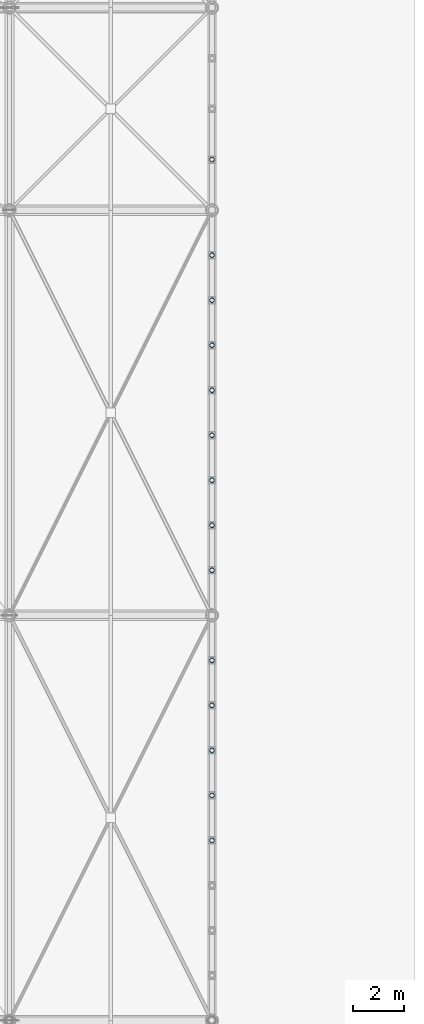
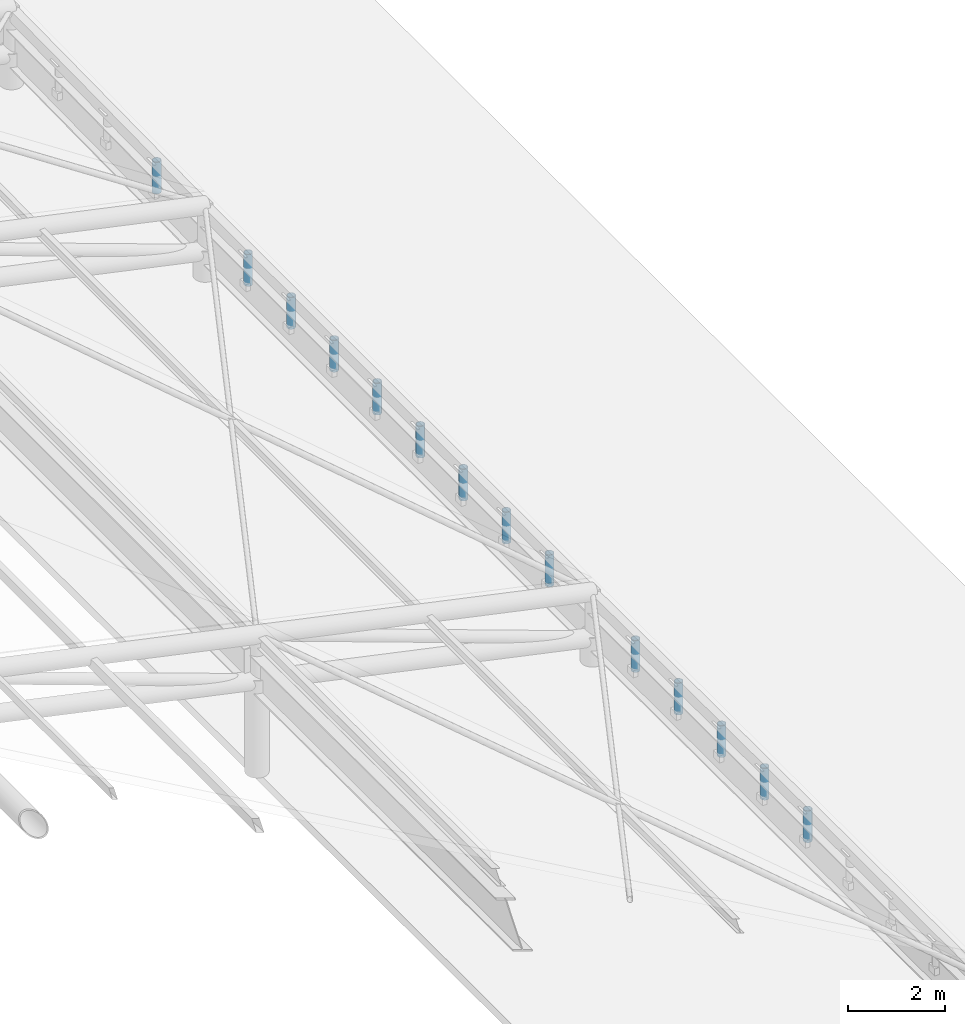
# One storey, part 22 of 41: 14 members.
"""IFC4 building model written with IfcOpenShell, lengths in metres."""

from ifc_helpers import new_model, si_unit, direction, frame, origin, origin_2d, place, context, subcontext, project, spatial, hollow_circle, extrude, material, material_profile, profile_set, type_object, element, save


model = new_model("IFC4")

# Units and contexts
model_context = context("Model", 3, precision=1e-05, world=origin(), true_north=direction((0.0, 1.0)))
body_context = subcontext(model_context, "Body", "Model", "MODEL_VIEW")
ifc_project = project(units=[si_unit("LENGTHUNIT", "METRE"), si_unit("AREAUNIT", "SQUARE_METRE"), si_unit("VOLUMEUNIT", "CUBIC_METRE"), si_unit("PLANEANGLEUNIT", "RADIAN"), si_unit("MASSUNIT", "GRAM", prefix="KILO")], contexts=[model_context])

# Site, building, storey
site_placement = place(None, origin())
site = spatial("IfcSite", under=ifc_project, at=site_placement, CompositionType="ELEMENT")
building_placement = place(site_placement, origin())
building = spatial("IfcBuilding", under=site, at=building_placement, Name="Haebicheon Civic Stadium", CompositionType="ELEMENT")
storey_placement = place(building_placement, frame((0.0, 0.0, 27.0)))
storey = spatial("IfcBuildingStorey", under=building, at=storey_placement, Name="L07", CompositionType="ELEMENT", Elevation=27.0)

# Members
ifc_material = material(Name="White painted steel SM490", Category="steel")
ifc_material_profile = material_profile(ifc_material, hollow_circle(Radius=0.095458984375, WallThickness=0.011962890625, at=origin_2d()), Name="CHS-190.7x12.0")
ifc_profile_set = profile_set([ifc_material_profile], Name="White painted steel SM490")
member_type = type_object("IfcMemberType", Name="HRD-CHS190", PredefinedType="USERDEFINED", material=ifc_profile_set)
member_1_placement = place(storey_placement, frame((152.0, 79.111083984375, 0.85009765625), z_axis=(0.0, 0.0, 1.0), x_axis=(1.0, 0.0, 0.0)))
element("IfcMember", 1, at=member_1_placement, inside=storey, type_object=member_type, material=ifc_profile_set, Name="CAN-EAST white vertical suspension rod 4.4", ObjectType="HANGER ROD", PredefinedType="USERDEFINED", context=body_context, shape_type="SweptSolid", body=[
    extrude(hollow_circle(Radius=0.095458984375, WallThickness=0.011962890625, at=origin_2d()), origin(), (0.0, 0.0, 1.0), 0.7998046875),
])
for number, where, z_axis, x_axis, name in (
    (2, (152.0, 80.888916015625, 0.844970703125), (0.0, 0.0, 1.0), (1.0, 0.0, 0.0), "CAN-EAST white vertical suspension rod 4.5"),
    (3, (152.0, 82.6669921875, 0.841064453125), (0.0, 0.0, 1.0), (1.0, 0.0, 0.0), "CAN-EAST white vertical suspension rod 4.6"),
    (4, (152.0, 84.444091796875, 0.8359375), (0.0, 0.0, 1.0), (1.0, 0.0, 0.0), "CAN-EAST white vertical suspension rod 4.7"),
    (5, (152.0, 86.221923828125, 0.83203125), (0.0, 0.0, 1.0), (1.0, 0.0, 0.0), "CAN-EAST white vertical suspension rod 4.8"),
    (6, (152.0, 89.778076171875, 0.83203125), (0.0, 0.0, 1.0), (1.0, 0.0, 0.0), "CAN-EAST white vertical suspension rod 5.1"),
    (7, (152.0, 91.555908203125, 0.8359375), (0.0, 0.0, 1.0), (1.0, 0.0, 0.0), "CAN-EAST white vertical suspension rod 5.2"),
    (8, (152.0, 93.3330078125, 0.841064453125), (0.0, 0.0, 1.0), (1.0, 0.0, 0.0), "CAN-EAST white vertical suspension rod 5.3"),
    (9, (152.0, 95.111083984375, 0.844970703125), (0.0, 0.0, 1.0), (1.0, 0.0, 0.0), "CAN-EAST white vertical suspension rod 5.4"),
):
    element("IfcMember", number, at=place(storey_placement, frame(where, z_axis=z_axis, x_axis=x_axis)), inside=storey, type_object=member_type, material=ifc_profile_set, Name=name, ObjectType="HANGER ROD", PredefinedType="USERDEFINED", context=body_context, shape_type="SweptSolid", body=[
        extrude(hollow_circle(Radius=0.095458984375, WallThickness=0.011962890625, at=origin_2d()), origin(), (0.0, 0.0, 1.0), 0.800048828125),
    ])
member_2_placement = place(storey_placement, frame((152.0, 96.888916015625, 0.85009765625), z_axis=(0.0, 0.0, 1.0), x_axis=(1.0, 0.0, 0.0)))
element("IfcMember", 10, at=member_2_placement, inside=storey, type_object=member_type, material=ifc_profile_set, Name="CAN-EAST white vertical suspension rod 5.5", ObjectType="HANGER ROD", PredefinedType="USERDEFINED", context=body_context, shape_type="SweptSolid", body=[
    extrude(hollow_circle(Radius=0.095458984375, WallThickness=0.011962890625, at=origin_2d()), origin(), (0.0, 0.0, 1.0), 0.7998046875),
])
for number, where, z_axis, x_axis, name in (
    (11, (152.0, 98.6669921875, 0.85400390625), (0.0, 0.0, 1.0), (1.0, 0.0, 0.0), "CAN-EAST white vertical suspension rod 5.6"),
    (12, (152.0, 100.444091796875, 0.85888671875), (0.0, 0.0, 1.0), (1.0, 0.0, 0.0), "CAN-EAST white vertical suspension rod 5.7"),
    (13, (152.0, 102.221923828125, 0.863037109375), (0.0, 0.0, 1.0), (1.0, 0.0, 0.0), "CAN-EAST white vertical suspension rod 5.8"),
    (14, (152.0, 106.0, 0.89892578125), (0.0, 0.0, 1.0), (1.0, 0.0, 0.0), "CAN-EAST white vertical suspension rod 6.1"),
):
    element("IfcMember", number, at=place(storey_placement, frame(where, z_axis=z_axis, x_axis=x_axis)), inside=storey, type_object=member_type, material=ifc_profile_set, Name=name, ObjectType="HANGER ROD", PredefinedType="USERDEFINED", context=body_context, shape_type="SweptSolid", body=[
        extrude(hollow_circle(Radius=0.095458984375, WallThickness=0.011962890625, at=origin_2d()), origin(), (0.0, 0.0, 1.0), 0.800048828125),
    ])

save(model, "model.ifc")
